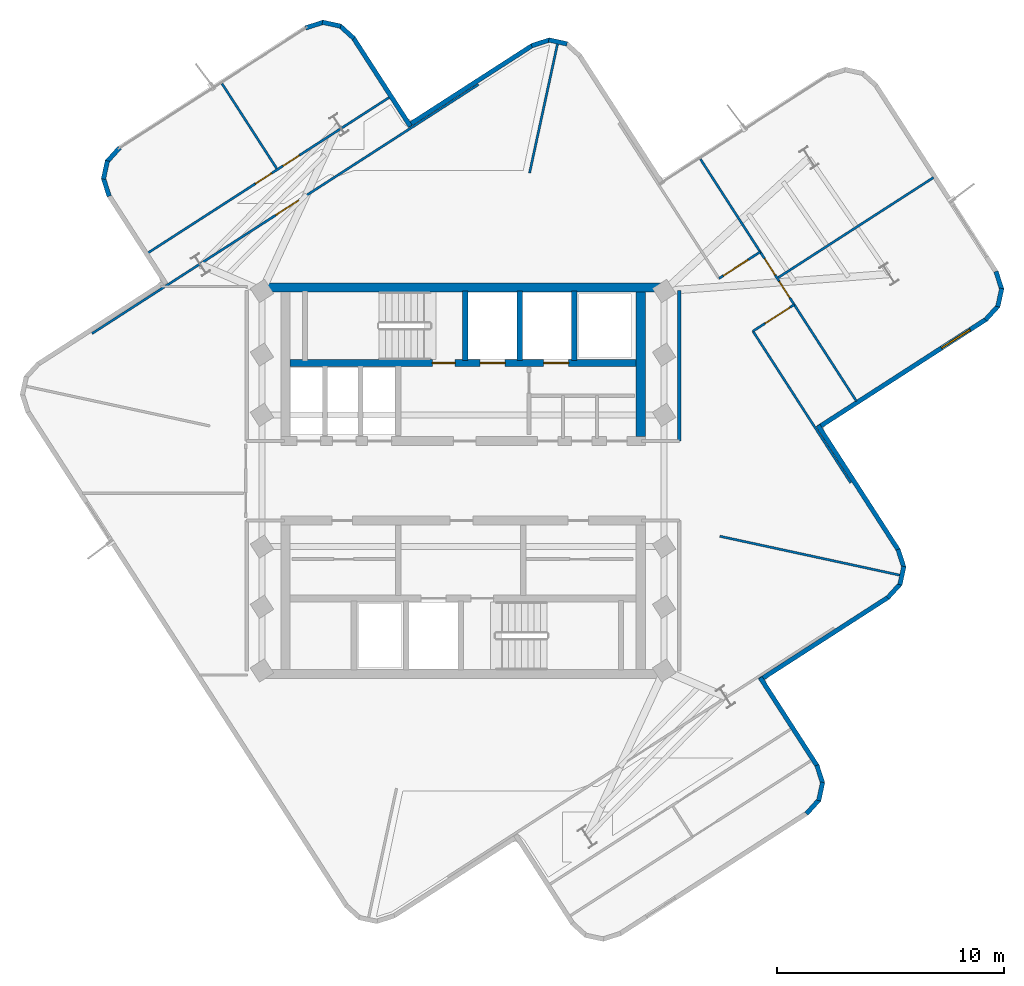
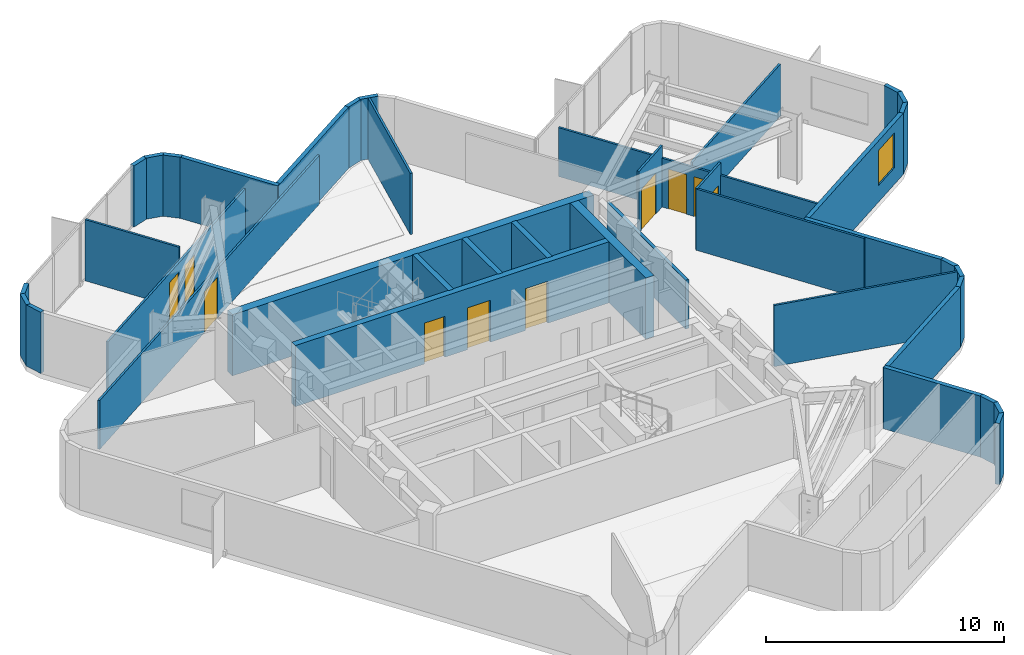
# One storey, part 5 of 8: 40 walls, 10 doors, 1 window, 11 openings.
"""IFC4 building model written with IfcOpenShell, lengths in metres."""

from ifc_helpers import new_model, si_unit, direction, frame, frame_2d, origin, place, context, subcontext, project, spatial, rectangle, extrude, material, layer, layer_set, type_object, element, fill, save


model = new_model("IFC4")

# Units and contexts
model_context = context("Model", 3, precision=1e-05, world=origin(), true_north=direction((0.0, 1.0)))
body_context = subcontext(model_context, "Body", "Model", "MODEL_VIEW")
ifc_project = project(units=[si_unit("LENGTHUNIT", "METRE"), si_unit("AREAUNIT", "SQUARE_METRE"), si_unit("VOLUMEUNIT", "CUBIC_METRE"), si_unit("PLANEANGLEUNIT", "RADIAN"), si_unit("MASSUNIT", "GRAM", prefix="KILO")], contexts=[model_context])

# Site, building, storey
site_placement = place(None, origin())
site = spatial("IfcSite", under=ifc_project, at=site_placement, CompositionType="ELEMENT")
building_placement = place(site_placement, origin())
building = spatial("IfcBuilding", under=site, at=building_placement, Name="Solmarez Civic Tower", CompositionType="ELEMENT")
storey_placement = place(building_placement, frame((0.0, 0.0, 218.8798828125)))
storey = spatial("IfcBuildingStorey", under=building, at=storey_placement, Name="L58", CompositionType="ELEMENT", Elevation=218.8798828125)

# Walls
ifc_material_1 = material(Name="Concrete C50/60", Category="concrete")
ifc_layer_1 = layer(ifc_material_1, 0.39990234375)
ifc_layer_set_1 = layer_set([ifc_layer_1], Name="Concrete C50/60")
wall_type_1 = type_object("IfcWallType", Name="WALL-CORE-400", PredefinedType="SHEAR", material=ifc_layer_set_1)
wall_1_placement = place(storey_placement, frame((-8.780029296875, 8.510009765625, 0.0), z_axis=(0.0, 0.0, 1.0), x_axis=(1.0, 0.0, 0.0)))
element("IfcWall", 1, at=wall_1_placement, inside=storey, type_object=wall_type_1, Name="L58 Split-Core Structural Wall NCW-N-L58", PredefinedType="SHEAR", context=body_context, shape_type="SweptSolid", body=[
    extrude(rectangle(XDim=17.56005859375, YDim=0.39990234375, at=frame_2d((8.780029296875, 0.0))), origin(), (0.0, 0.0, 1.0), 3.14013671875),
])
wall_2_placement = place(storey_placement, frame((7.820068359375, 8.31005859375, 0.0), z_axis=(0.0, 0.0, 1.0), x_axis=(0.0, -1.0, 0.0)))
element("IfcWall", 2, at=wall_2_placement, inside=storey, type_object=wall_type_1, Name="L58 Split-Core Structural Wall NCW-E-L58", PredefinedType="SHEAR", context=body_context, shape_type="SweptSolid", body=[
    extrude(rectangle(XDim=6.360107421875, YDim=0.39990234375, at=frame_2d((3.18017578125, 0.0))), origin(), (0.0, 0.0, 1.0), 3.14013671875),
])
ifc_material_2 = material(Name="Precast concrete C40/50", Category="concrete")
ifc_layer_2 = layer(ifc_material_2, 0.199951171875)
ifc_layer_set_2 = layer_set([ifc_layer_2], Name="Precast concrete C40/50")
wall_type_2 = type_object("IfcWallType", Name="WALL-EXT-200", PredefinedType="SOLIDWALL", material=ifc_layer_set_2)
wall_3_placement = place(storey_placement, frame((-15.572998046875, 12.52294921875, 0.0), z_axis=(0.0, 0.0, 1.0), x_axis=(-0.306602907463, 0.951837516142, 0.0)))
element("IfcWall", 3, at=wall_3_placement, inside=storey, type_object=wall_type_2, Name="L58 Exterior Precast Wall 14", PredefinedType="SOLIDWALL", context=body_context, shape_type="SweptSolid", body=[
    extrude(rectangle(XDim=0.83837890625, YDim=0.199951171875, at=frame_2d((0.419189453125, 0.0))), origin(), (0.0, 0.0, 1.0), 3.14013671875),
])
wall_4_placement = place(storey_placement, frame((-15.826904296875, 13.27294921875, 0.0), z_axis=(0.0, 0.0, 1.0), x_axis=(0.210782404691, 0.977533006027, 0.0)))
element("IfcWall", 4, at=wall_4_placement, inside=storey, type_object=wall_type_2, Name="L58 Exterior Precast Wall 15", PredefinedType="SOLIDWALL", context=body_context, shape_type="SweptSolid", body=[
    extrude(rectangle(XDim=0.82470703125, YDim=0.199951171875, at=frame_2d((0.412353515625, 0.0))), origin(), (0.0, 0.0, 1.0), 3.14013671875),
])
wall_5_placement = place(storey_placement, frame((-15.675048828125, 14.035888671875, 0.0), z_axis=(0.0, 0.0, 1.0), x_axis=(0.671019988703, 0.741439258983, 0.0)))
element("IfcWall", 5, at=wall_5_placement, inside=storey, type_object=wall_type_2, Name="L58 Exterior Precast Wall 16", PredefinedType="SOLIDWALL", context=body_context, shape_type="SweptSolid", body=[
    extrude(rectangle(XDim=0.839111328125, YDim=0.199951171875, at=frame_2d((0.41943359375, 0.0))), origin(), (0.0, 0.0, 1.0), 3.14013671875),
])
wall_6_placement = place(storey_placement, frame((-6.93701171875, 19.925048828125, 0.0), z_axis=(0.0, 0.0, 1.0), x_axis=(0.951922461344, 0.306339072907, 0.0)))
element("IfcWall", 6, at=wall_6_placement, inside=storey, type_object=wall_type_2, Name="L58 Exterior Precast Wall 18", PredefinedType="SOLIDWALL", context=body_context, shape_type="SweptSolid", body=[
    extrude(rectangle(XDim=0.83837890625, YDim=0.199951171875, at=frame_2d((0.419189453125, 0.0))), origin(), (0.0, 0.0, 1.0), 3.14013671875),
])
wall_7_placement = place(storey_placement, frame((-6.18701171875, 20.178955078125, 0.0), z_axis=(0.0, 0.0, 1.0), x_axis=(0.977405889656, -0.211371064399, 0.0)))
element("IfcWall", 7, at=wall_7_placement, inside=storey, type_object=wall_type_2, Name="L58 Exterior Precast Wall 19", PredefinedType="SOLIDWALL", context=body_context, shape_type="SweptSolid", body=[
    extrude(rectangle(XDim=0.823486328125, YDim=0.199951171875, at=frame_2d((0.41162109375, 0.0))), origin(), (0.0, 0.0, 1.0), 3.14013671875),
])
wall_8_placement = place(storey_placement, frame((-5.425048828125, 20.027099609375, 0.0), z_axis=(0.0, 0.0, 1.0), x_axis=(0.741439258983, -0.671019988703, 0.0)))
element("IfcWall", 8, at=wall_8_placement, inside=storey, type_object=wall_type_2, Name="L58 Exterior Precast Wall 20", PredefinedType="SOLIDWALL", context=body_context, shape_type="SweptSolid", body=[
    extrude(rectangle(XDim=0.839111328125, YDim=0.199951171875, at=frame_2d((0.41943359375, 0.0))), origin(), (0.0, 0.0, 1.0), 3.14013671875),
])
wall_9_placement = place(storey_placement, frame((-4.8359375, 19.501953125, 0.0), z_axis=(0.0, 0.0, 1.0), x_axis=(0.541756659411, -0.840535378187, 0.0)))
element("IfcWall", 9, at=wall_9_placement, inside=storey, type_object=wall_type_2, Name="L58 Exterior Precast Wall 21", PredefinedType="SOLIDWALL", context=body_context, shape_type="SweptSolid", body=[
    extrude(rectangle(XDim=4.64208984375, YDim=0.199951171875, at=frame_2d((2.321044921875, 0.0))), origin(), (0.0, 0.0, 1.0), 3.14013671875),
])
wall_10_placement = place(storey_placement, frame((-2.430908203125, 15.6240234375, 0.0), z_axis=(0.0, 0.0, 1.0), x_axis=(0.840561972283, 0.541715396451, 0.0)))
element("IfcWall", 10, at=wall_10_placement, inside=storey, type_object=wall_type_2, Name="L58 Exterior Precast Wall 24", PredefinedType="SOLIDWALL", context=body_context, shape_type="SweptSolid", body=[
    extrude(rectangle(XDim=6.5419921875, YDim=0.199951171875, at=frame_2d((3.27099609375, 0.0))), origin(), (0.0, 0.0, 1.0), 3.14013671875),
])
wall_11_placement = place(storey_placement, frame((3.02294921875, 19.14599609375, 0.0), z_axis=(0.0, 0.0, 1.0), x_axis=(0.951837516142, 0.306602907463, 0.0)))
element("IfcWall", 11, at=wall_11_placement, inside=storey, type_object=wall_type_2, Name="L58 Exterior Precast Wall 25", PredefinedType="SOLIDWALL", context=body_context, shape_type="SweptSolid", body=[
    extrude(rectangle(XDim=0.83837890625, YDim=0.199951171875, at=frame_2d((0.419189453125, 0.0))), origin(), (0.0, 0.0, 1.0), 3.14013671875),
])
wall_12_placement = place(storey_placement, frame((3.77294921875, 19.39990234375, 0.0), z_axis=(0.0, 0.0, 1.0), x_axis=(0.977467098281, -0.211087829535, 0.0)))
element("IfcWall", 12, at=wall_12_placement, inside=storey, type_object=wall_type_2, Name="L58 Exterior Precast Wall 26", PredefinedType="SOLIDWALL", context=body_context, shape_type="SweptSolid", body=[
    extrude(rectangle(XDim=0.823486328125, YDim=0.199951171875, at=frame_2d((0.41162109375, 0.0))), origin(), (0.0, 0.0, 1.0), 3.14013671875),
])
wall_13_placement = place(storey_placement, frame((23.455078125, 9.2119140625, 0.0), z_axis=(0.0, 0.0, 1.0), x_axis=(0.306424011446, -0.951895123009, 0.0)))
element("IfcWall", 13, at=wall_13_placement, inside=storey, type_object=wall_type_2, Name="L58 Exterior Precast Wall 36", PredefinedType="SOLIDWALL", context=body_context, shape_type="SweptSolid", body=[
    extrude(rectangle(XDim=0.838134765625, YDim=0.199951171875, at=frame_2d((0.4189453125, 0.0))), origin(), (0.0, 0.0, 1.0), 3.14013671875),
])
wall_14_placement = place(storey_placement, frame((23.708984375, 8.4619140625, 0.0), z_axis=(0.0, 0.0, 1.0), x_axis=(-0.210237806088, -0.977650277395, 0.0)))
element("IfcWall", 14, at=wall_14_placement, inside=storey, type_object=wall_type_2, Name="L58 Exterior Precast Wall 37", PredefinedType="SOLIDWALL", context=body_context, shape_type="SweptSolid", body=[
    extrude(rectangle(XDim=0.8232421875, YDim=0.199951171875, at=frame_2d((0.41162109375, 0.0))), origin(), (0.0, 0.0, 1.0), 3.14013671875),
])
wall_15_placement = place(storey_placement, frame((23.55810546875, 7.699951171875, 0.0), z_axis=(0.0, 0.0, 1.0), x_axis=(-0.671818647766, -0.740715670493, 0.0)))
element("IfcWall", 15, at=wall_15_placement, inside=storey, type_object=wall_type_2, Name="L58 Exterior Precast Wall 38", PredefinedType="SOLIDWALL", context=body_context, shape_type="SweptSolid", body=[
    extrude(rectangle(XDim=0.83984375, YDim=0.199951171875, at=frame_2d((0.419921875, 0.0))), origin(), (0.0, 0.0, 1.0), 3.14013671875),
])

# Wall, opening, window
wall_16_placement = place(storey_placement, frame((23.031982421875, 7.111083984375, 0.0), z_axis=(0.0, 0.0, 1.0), x_axis=(-0.840540020681, -0.541749456515, 0.0)))
wall_16 = element("IfcWall", 16, at=wall_16_placement, inside=storey, type_object=wall_type_2, Name="L58 Exterior Precast Wall 39", PredefinedType="SOLIDWALL", context=body_context, shape_type="SweptSolid", body=[
    extrude(rectangle(XDim=8.841796875, YDim=0.199951171875, at=frame_2d((4.4208984375, 0.0))), origin(), (0.0, 0.0, 1.0), 3.14013671875),
])
opening_1_placement = place(wall_16_placement, frame((0.85009765625, 0.0, 0.85009765625)))
opening_1 = element("IfcOpeningElement", 17, at=opening_1_placement, cuts=wall_16, Name="Opening W-13", PredefinedType="OPENING", context=body_context, shape_type="SweptSolid", body=[
    extrude(rectangle(XDim=1.5, YDim=1.800048828125, at=frame_2d((0.75, 0.89990234375))), frame((0.0, 0.10986328125, 0.0), z_axis=(0.0, -1.0, 0.0), x_axis=(1.0, 0.0, 0.0)), (0.0, 0.0, 1.0), 0.219970703125),
])
ifc_material_3 = material(Name="Solar Control Bronze-Tinted Insulating Glass", Category="glass")
window_type = type_object("IfcWindowType", Name="WIN-1500X1800", PartitioningType="SINGLE_PANEL", PredefinedType="WINDOW", material=ifc_material_3)
window_placement = place(opening_1_placement, origin())
window = element("IfcWindow", 18, at=window_placement, inside=storey, type_object=window_type, Name="L58 Exterior Facade Window 39", OverallHeight=1.800048828125, OverallWidth=1.5, PartitioningType="SINGLE_PANEL", PredefinedType="WINDOW", context=body_context, shape_type="SweptSolid", body=[
    extrude(rectangle(XDim=1.5, YDim=1.800048828125, at=frame_2d((0.75, 0.89990234375))), frame((0.0, 0.030029296875, 0.0), z_axis=(0.0, -1.0, 0.0), x_axis=(1.0, 0.0, 0.0)), (0.0, 0.0, 1.0), 0.06005859375),
])
fill(opening_1, window)

# Walls
wall_17_placement = place(storey_placement, frame((15.6240234375, 2.430908203125, 0.0), z_axis=(0.0, 0.0, 1.0), x_axis=(0.541715396451, -0.840561972283, 0.0)))
element("IfcWall", 19, at=wall_17_placement, inside=storey, type_object=wall_type_2, Name="L58 Exterior Precast Wall 42", PredefinedType="SOLIDWALL", context=body_context, shape_type="SweptSolid", body=[
    extrude(rectangle(XDim=6.5419921875, YDim=0.199951171875, at=frame_2d((3.27099609375, 0.0))), origin(), (0.0, 0.0, 1.0), 3.14013671875),
])
wall_18_placement = place(storey_placement, frame((19.14599609375, -3.02294921875, 0.0), z_axis=(0.0, 0.0, 1.0), x_axis=(0.306602907463, -0.951837516142, 0.0)))
element("IfcWall", 20, at=wall_18_placement, inside=storey, type_object=wall_type_2, Name="L58 Exterior Precast Wall 43", PredefinedType="SOLIDWALL", context=body_context, shape_type="SweptSolid", body=[
    extrude(rectangle(XDim=0.83837890625, YDim=0.199951171875, at=frame_2d((0.419189453125, 0.0))), origin(), (0.0, 0.0, 1.0), 3.14013671875),
])
wall_19_placement = place(storey_placement, frame((19.39990234375, -3.77294921875, 0.0), z_axis=(0.0, 0.0, 1.0), x_axis=(-0.211087829535, -0.977467098281, 0.0)))
element("IfcWall", 21, at=wall_19_placement, inside=storey, type_object=wall_type_2, Name="L58 Exterior Precast Wall 44", PredefinedType="SOLIDWALL", context=body_context, shape_type="SweptSolid", body=[
    extrude(rectangle(XDim=0.823486328125, YDim=0.199951171875, at=frame_2d((0.41162109375, 0.0))), origin(), (0.0, 0.0, 1.0), 3.14013671875),
])
wall_20_placement = place(storey_placement, frame((19.248046875, -4.534912109375, 0.0), z_axis=(0.0, 0.0, 1.0), x_axis=(-0.671019988703, -0.741439258983, 0.0)))
element("IfcWall", 22, at=wall_20_placement, inside=storey, type_object=wall_type_2, Name="L58 Exterior Precast Wall 45", PredefinedType="SOLIDWALL", context=body_context, shape_type="SweptSolid", body=[
    extrude(rectangle(XDim=0.839111328125, YDim=0.199951171875, at=frame_2d((0.41943359375, 0.0))), origin(), (0.0, 0.0, 1.0), 3.14013671875),
])
wall_21_placement = place(storey_placement, frame((18.722900390625, -5.1240234375, 0.0), z_axis=(0.0, 0.0, 1.0), x_axis=(-0.840584959151, -0.541679726821, 0.0)))
element("IfcWall", 23, at=wall_21_placement, inside=storey, type_object=wall_type_2, Name="L58 Exterior Precast Wall 46", PredefinedType="SOLIDWALL", context=body_context, shape_type="SweptSolid", body=[
    extrude(rectangle(XDim=6.74169921875, YDim=0.199951171875, at=frame_2d((3.370849609375, 0.0))), origin(), (0.0, 0.0, 1.0), 3.14013671875),
])
wall_22_placement = place(storey_placement, frame((13.080078125, -8.666015625, 0.0), z_axis=(0.0, 0.0, 1.0), x_axis=(0.541732711374, -0.840550813114, 0.0)))
element("IfcWall", 24, at=wall_22_placement, inside=storey, type_object=wall_type_2, Name="L58 Exterior Precast Wall 49", PredefinedType="SOLIDWALL", context=body_context, shape_type="SweptSolid", body=[
    extrude(rectangle(XDim=4.642333984375, YDim=0.199951171875, at=frame_2d((2.3212890625, 0.0))), origin(), (0.0, 0.0, 1.0), 3.14013671875),
])
wall_23_placement = place(storey_placement, frame((15.572998046875, -12.52294921875, 0.0), z_axis=(0.0, 0.0, 1.0), x_axis=(0.306602907463, -0.951837516142, 0.0)))
element("IfcWall", 25, at=wall_23_placement, inside=storey, type_object=wall_type_2, Name="L58 Exterior Precast Wall 50", PredefinedType="SOLIDWALL", context=body_context, shape_type="SweptSolid", body=[
    extrude(rectangle(XDim=0.83837890625, YDim=0.199951171875, at=frame_2d((0.419189453125, 0.0))), origin(), (0.0, 0.0, 1.0), 3.14013671875),
])
wall_24_placement = place(storey_placement, frame((15.826904296875, -13.27294921875, 0.0), z_axis=(0.0, 0.0, 1.0), x_axis=(-0.210782404691, -0.977533006027, 0.0)))
element("IfcWall", 26, at=wall_24_placement, inside=storey, type_object=wall_type_2, Name="L58 Exterior Precast Wall 51", PredefinedType="SOLIDWALL", context=body_context, shape_type="SweptSolid", body=[
    extrude(rectangle(XDim=0.82470703125, YDim=0.199951171875, at=frame_2d((0.412353515625, 0.0))), origin(), (0.0, 0.0, 1.0), 3.14013671875),
])
wall_25_placement = place(storey_placement, frame((15.675048828125, -14.035888671875, 0.0), z_axis=(0.0, 0.0, 1.0), x_axis=(-0.671019988703, -0.741439258983, 0.0)))
element("IfcWall", 27, at=wall_25_placement, inside=storey, type_object=wall_type_2, Name="L58 Exterior Precast Wall 52", PredefinedType="SOLIDWALL", context=body_context, shape_type="SweptSolid", body=[
    extrude(rectangle(XDim=0.839111328125, YDim=0.199951171875, at=frame_2d((0.41943359375, 0.0))), origin(), (0.0, 0.0, 1.0), 3.14013671875),
])
ifc_material_4 = material(Name="Gypsum Board Acoustic Steel-Stud Partition", Category="steel")
ifc_layer_3 = layer(ifc_material_4, 0.14990234375)
ifc_layer_set_3 = layer_set([ifc_layer_3], Name="Gypsum Board Acoustic Steel-Stud Partition")
wall_type_3 = type_object("IfcWallType", Name="WALL-INT-FIRE-150", PredefinedType="PARTITIONING", material=ifc_layer_set_3)
wall_26_placement = place(storey_placement, frame((9.52001953125, 1.75, 0.0), z_axis=(0.0, 0.0, 1.0), x_axis=(0.0, 1.0, 0.0)))
element("IfcWall", 28, at=wall_26_placement, inside=storey, type_object=wall_type_3, Name="L58 Interior Partition CHW-L58-EN1", PredefinedType="PARTITIONING", context=body_context, shape_type="SweptSolid", body=[
    extrude(rectangle(XDim=6.6298828125, YDim=0.14990234375, at=frame_2d((3.31494140625, 0.0))), origin(), (0.0, 0.0, 1.0), 2.510009765625),
])
ifc_layer_4 = layer(ifc_material_4, 0.10009765625)
ifc_layer_set_4 = layer_set([ifc_layer_4], Name="Gypsum Board Acoustic Steel-Stud Partition")
wall_type_4 = type_object("IfcWallType", Name="WALL-INT-PART-100", PredefinedType="PARTITIONING", material=ifc_layer_set_4)
wall_27_placement = place(storey_placement, frame((2.927001953125, 13.5400390625, 0.0), z_axis=(0.0, 0.0, 1.0), x_axis=(0.21141803497, 0.977395730751, 0.0)))
element("IfcWall", 29, at=wall_27_placement, inside=storey, type_object=wall_type_4, Name="L58 Interior Partition PT-L58-QDIV-1", PredefinedType="PARTITIONING", context=body_context, shape_type="SweptSolid", body=[
    extrude(rectangle(XDim=5.842041015625, YDim=0.10009765625, at=frame_2d((2.9208984375, 0.0))), origin(), (0.0, 0.0, 1.0), 3.14013671875),
])
wall_28_placement = place(storey_placement, frame((11.300048828125, -2.443115234375, 0.0), z_axis=(0.0, 0.0, 1.0), x_axis=(0.977411986974, -0.211342867681, 0.0)))
element("IfcWall", 30, at=wall_28_placement, inside=storey, type_object=wall_type_4, Name="L58 Interior Partition PT-L58-QDIV-4", PredefinedType="PARTITIONING", context=body_context, shape_type="SweptSolid", body=[
    extrude(rectangle(XDim=8.1337890625, YDim=0.10009765625, at=frame_2d((4.06689453125, 0.0))), origin(), (0.0, 0.0, 1.0), 3.14013671875),
])
wall_29_placement = place(storey_placement, frame((17.06005859375, -0.093017578125, 0.0), z_axis=(0.0, 0.0, 1.0), x_axis=(-0.541691689426, 0.840577250232, 0.0)))
element("IfcWall", 31, at=wall_29_placement, inside=storey, type_object=wall_type_4, Name="L58 Interior Partition PT-L58-E-EFR", PredefinedType="PARTITIONING", context=body_context, shape_type="SweptSolid", body=[
    extrude(rectangle(XDim=7.949462890625, YDim=0.10009765625, at=frame_2d((3.974609375, 0.0))), origin(), (0.0, 0.0, 1.0), 3.14013671875),
])

# Wall, opening, door
wall_30_placement = place(storey_placement, frame((13.080078125, 10.071044921875, 0.0), z_axis=(0.0, 0.0, 1.0), x_axis=(-0.840623628822, -0.541619714067, 0.0)))
wall_30 = element("IfcWall", 32, at=wall_30_placement, inside=storey, type_object=wall_type_4, Name="L58 Interior Partition PT-L58-E-SL", PredefinedType="PARTITIONING", context=body_context, shape_type="SweptSolid", body=[
    extrude(rectangle(XDim=2.160400390625, YDim=0.10009765625, at=frame_2d((1.080078125, 0.0))), origin(), (0.0, 0.0, 1.0), 3.14013671875),
])
opening_2_placement = place(wall_30_placement, frame((0.6298828125, 0.0, 0.0)))
opening_2 = element("IfcOpeningElement", 33, at=opening_2_placement, cuts=wall_30, Name="Opening D-15", PredefinedType="OPENING", context=body_context, shape_type="SweptSolid", body=[
    extrude(rectangle(XDim=1.300048828125, YDim=2.10009765625, at=frame_2d((0.64990234375, 1.050048828125))), frame((0.0, 0.06005859375, 0.0), z_axis=(0.0, -1.0, 0.0), x_axis=(1.0, 0.0, 0.0)), (0.0, 0.0, 1.0), 0.1201171875),
])
ifc_material_5 = material(Name="Tribunal Hearing Conference Door", Category="wood")
door_type_1 = type_object("IfcDoorType", Name="DOOR-INT-1300", OperationType="NOTDEFINED", PredefinedType="DOOR", material=ifc_material_5)
door_1_placement = place(opening_2_placement, origin())
door_1 = element("IfcDoor", 34, at=door_1_placement, inside=storey, type_object=door_type_1, Name="L58 Legislative Seminar Room East Door", OperationType="SINGLE_SWING_LEFT", OverallHeight=2.10009765625, OverallWidth=1.300048828125, PredefinedType="DOOR", context=body_context, shape_type="SweptSolid", body=[
    extrude(rectangle(XDim=1.300048828125, YDim=2.10009765625, at=frame_2d((0.64990234375, 1.050048828125))), frame((0.0, 0.02490234375, 0.0), z_axis=(0.0, -1.0, 0.0), x_axis=(1.0, 0.0, 0.0)), (0.0, 0.0, 1.0), 0.050048828125),
])
fill(opening_2, door_1)

wall_31_placement = place(storey_placement, frame((12.759033203125, 6.5810546875, 0.0), z_axis=(0.0, 0.0, 1.0), x_axis=(0.840641931508, 0.541591306236, 0.0)))
wall_31 = element("IfcWall", 35, at=wall_31_placement, inside=storey, type_object=wall_type_4, Name="L58 Interior Partition PT-L58-E-SR", PredefinedType="PARTITIONING", context=body_context, shape_type="SweptSolid", body=[
    extrude(rectangle(XDim=2.16015625, YDim=0.10009765625, at=frame_2d((1.080078125, 0.0))), origin(), (0.0, 0.0, 1.0), 3.14013671875),
])
opening_3_placement = place(wall_31_placement, frame((0.6298828125, 0.0, 0.0)))
opening_3 = element("IfcOpeningElement", 36, at=opening_3_placement, cuts=wall_31, Name="Opening D-15", PredefinedType="OPENING", context=body_context, shape_type="SweptSolid", body=[
    extrude(rectangle(XDim=1.300048828125, YDim=2.10009765625, at=frame_2d((0.64990234375, 1.050048828125))), frame((0.0, 0.06005859375, 0.0), z_axis=(0.0, -1.0, 0.0), x_axis=(1.0, 0.0, 0.0)), (0.0, 0.0, 1.0), 0.1201171875),
])
door_2_placement = place(opening_3_placement, origin())
door_2 = element("IfcDoor", 37, at=door_2_placement, inside=storey, type_object=door_type_1, Name="L58 Civic Training Classroom East Door", OperationType="SINGLE_SWING_RIGHT", OverallHeight=2.10009765625, OverallWidth=1.300048828125, PredefinedType="DOOR", context=body_context, shape_type="SweptSolid", body=[
    extrude(rectangle(XDim=1.300048828125, YDim=2.10009765625, at=frame_2d((0.64990234375, 1.050048828125))), frame((0.0, 0.02490234375, 0.0), z_axis=(0.0, -1.0, 0.0), x_axis=(1.0, 0.0, 0.0)), (0.0, 0.0, 1.0), 0.050048828125),
])
fill(opening_3, door_2)

# Wall
wall_32_placement = place(storey_placement, frame((13.8779296875, 8.944091796875, 0.0), z_axis=(0.0, 0.0, 1.0), x_axis=(0.840576508336, 0.541692840671, 0.0)))
element("IfcWall", 38, at=wall_32_placement, inside=storey, type_object=wall_type_4, Name="L58 Interior Partition PT-L58-E-TM", PredefinedType="PARTITIONING", context=body_context, shape_type="SweptSolid", body=[
    extrude(rectangle(XDim=8.124267578125, YDim=0.10009765625, at=frame_2d((4.06201171875, 0.0))), origin(), (0.0, 0.0, 1.0), 2.669189453125),
])

# Wall, openings, doors
wall_33_placement = place(storey_placement, frame((10.448974609375, 14.152099609375, 0.0), z_axis=(0.0, 0.0, 1.0), x_axis=(0.541734007753, -0.8405499776, 0.0)))
wall_33 = element("IfcWall", 39, at=wall_33_placement, inside=storey, type_object=wall_type_4, Name="L58 Interior Partition PT-L58-E-END", PredefinedType="PARTITIONING", context=body_context, shape_type="SweptSolid", body=[
    extrude(rectangle(XDim=12.67041015625, YDim=0.10009765625, at=frame_2d((6.335205078125, 0.0))), origin(), (0.0, 0.0, 1.0), 2.510009765625),
])
opening_4_placement = place(wall_33_placement, frame((6.405029296875, 0.0, 0.0)))
opening_4 = element("IfcOpeningElement", 40, at=opening_4_placement, cuts=wall_33, Name="Opening D-14", PredefinedType="OPENING", context=body_context, shape_type="SweptSolid", body=[
    extrude(rectangle(XDim=0.860107421875, YDim=2.0400390625, at=frame_2d((0.43017578125, 1.02001953125))), frame((0.0, 0.06005859375, 0.0), z_axis=(0.0, -1.0, 0.0), x_axis=(1.0, 0.0, 0.0)), (0.0, 0.0, 1.0), 0.1201171875),
])
opening_5_placement = place(wall_33_placement, frame((5.205078125, 0.0, 0.0)))
opening_5 = element("IfcOpeningElement", 41, at=opening_5_placement, cuts=wall_33, Name="Opening D-14", PredefinedType="OPENING", context=body_context, shape_type="SweptSolid", body=[
    extrude(rectangle(XDim=0.860107421875, YDim=2.0400390625, at=frame_2d((0.43017578125, 1.02001953125))), frame((0.0, 0.06005859375, 0.0), z_axis=(0.0, -1.0, 0.0), x_axis=(1.0, 0.0, 0.0)), (0.0, 0.0, 1.0), 0.1201171875),
])
ifc_material_6 = material(Name="Timber Storage and Pantry Door", Category="wood")
door_type_2 = type_object("IfcDoorType", Name="DOOR-INT-850", OperationType="NOTDEFINED", PredefinedType="DOOR", material=ifc_material_6)
door_3_placement = place(opening_4_placement, origin())
door_3 = element("IfcDoor", 42, at=door_3_placement, inside=storey, type_object=door_type_2, Name="L58 Public Reception Room Sixth East Door", OperationType="SINGLE_SWING_RIGHT", OverallHeight=2.0400390625, OverallWidth=0.860107421875, PredefinedType="DOOR", context=body_context, shape_type="SweptSolid", body=[
    extrude(rectangle(XDim=0.860107421875, YDim=2.0400390625, at=frame_2d((0.43017578125, 1.02001953125))), frame((0.0, 0.02490234375, 0.0), z_axis=(0.0, -1.0, 0.0), x_axis=(1.0, 0.0, 0.0)), (0.0, 0.0, 1.0), 0.050048828125),
])
fill(opening_4, door_3)
door_4_placement = place(opening_5_placement, origin())
door_4 = element("IfcDoor", 43, at=door_4_placement, inside=storey, type_object=door_type_2, Name="L58 Delegates Sitting Lounge Fifth East Door", OperationType="SINGLE_SWING_LEFT", OverallHeight=2.0400390625, OverallWidth=0.860107421875, PredefinedType="DOOR", context=body_context, shape_type="SweptSolid", body=[
    extrude(rectangle(XDim=0.860107421875, YDim=2.0400390625, at=frame_2d((0.43017578125, 1.02001953125))), frame((0.0, 0.02490234375, 0.0), z_axis=(0.0, -1.0, 0.0), x_axis=(1.0, 0.0, 0.0)), (0.0, 0.0, 1.0), 0.050048828125),
])
fill(opening_5, door_4)

# Wall, opening, door
wall_34_placement = place(storey_placement, frame((-16.3310546875, 6.47607421875, 0.0), z_axis=(0.0, 0.0, 1.0), x_axis=(0.840579457381, 0.541688264437, 0.0)))
wall_34 = element("IfcWall", 44, at=wall_34_placement, inside=storey, type_object=wall_type_4, Name="L58 Interior Partition PT-L58-N-ENT", PredefinedType="PARTITIONING", context=body_context, shape_type="SweptSolid", body=[
    extrude(rectangle(XDim=20.23828125, YDim=0.10009765625, at=frame_2d((10.119140625, 0.0))), origin(), (0.0, 0.0, 1.0), 2.510009765625),
])
opening_6_placement = place(wall_34_placement, frame((9.618896484375, 0.0, 0.0)))
opening_6 = element("IfcOpeningElement", 45, at=opening_6_placement, cuts=wall_34, Name="Opening D-11", PredefinedType="OPENING", context=body_context, shape_type="SweptSolid", body=[
    extrude(rectangle(XDim=1.199951171875, YDim=2.10009765625, at=frame_2d((0.60009765625, 1.050048828125))), frame((0.0, 0.06005859375, 0.0), z_axis=(0.0, -1.0, 0.0), x_axis=(1.0, 0.0, 0.0)), (0.0, 0.0, 1.0), 0.1201171875),
])
ifc_material_7 = material(Name="Glazed-Vision Acoustic Chamber Door", Category="wood")
door_type_3 = type_object("IfcDoorType", Name="DOOR-INT-1200", OperationType="NOTDEFINED", PredefinedType="DOOR", material=ifc_material_7)
door_5_placement = place(opening_6_placement, origin())
door_5 = element("IfcDoor", 46, at=door_5_placement, inside=storey, type_object=door_type_3, Name="L58 Civic Training Classroom First North Door", OperationType="SINGLE_SWING_LEFT", OverallHeight=2.10009765625, OverallWidth=1.199951171875, PredefinedType="DOOR", context=body_context, shape_type="SweptSolid", body=[
    extrude(rectangle(XDim=1.199951171875, YDim=2.10009765625, at=frame_2d((0.60009765625, 1.050048828125))), frame((0.0, 0.02490234375, 0.0), z_axis=(0.0, -1.0, 0.0), x_axis=(1.0, 0.0, 0.0)), (0.0, 0.0, 1.0), 0.050048828125),
])
fill(opening_6, door_5)

# Wall
wall_35_placement = place(storey_placement, frame((-8.205078125, 13.7470703125, 0.0), z_axis=(0.0, 0.0, 1.0), x_axis=(-0.541753189494, 0.840537614669, 0.0)))
element("IfcWall", 47, at=wall_35_placement, inside=storey, type_object=wall_type_4, Name="L58 Interior Partition PT-L58-N-TSP", PredefinedType="PARTITIONING", context=body_context, shape_type="SweptSolid", body=[
    extrude(rectangle(XDim=4.435302734375, YDim=0.10009765625, at=frame_2d((2.2177734375, 0.0))), origin(), (0.0, 0.0, 1.0), 3.14013671875),
])

# Wall, openings, doors
wall_36_placement = place(storey_placement, frame((-3.22607421875, 16.884033203125, 0.0), z_axis=(0.0, 0.0, 1.0), x_axis=(-0.840579419228, -0.541688323642, 0.0)))
wall_36 = element("IfcWall", 48, at=wall_36_placement, inside=storey, type_object=wall_type_4, Name="L58 Interior Partition PT-L58-N-SCUT", PredefinedType="PARTITIONING", context=body_context, shape_type="SweptSolid", body=[
    extrude(rectangle(XDim=12.669677734375, YDim=0.10009765625, at=frame_2d((6.3349609375, 0.0))), origin(), (0.0, 0.0, 1.0), 2.510009765625),
])
opening_7_placement = place(wall_36_placement, frame((4.735107421875, 0.0, 0.0)))
opening_7 = element("IfcOpeningElement", 49, at=opening_7_placement, cuts=wall_36, Name="Opening D-14", PredefinedType="OPENING", context=body_context, shape_type="SweptSolid", body=[
    extrude(rectangle(XDim=0.860107421875, YDim=2.0400390625, at=frame_2d((0.43017578125, 1.02001953125))), frame((0.0, 0.06005859375, 0.0), z_axis=(0.0, -1.0, 0.0), x_axis=(1.0, 0.0, 0.0)), (0.0, 0.0, 1.0), 0.1201171875),
])
opening_8_placement = place(wall_36_placement, frame((6.175048828125, 0.0, 0.0)))
opening_8 = element("IfcOpeningElement", 50, at=opening_8_placement, cuts=wall_36, Name="Opening D-14", PredefinedType="OPENING", context=body_context, shape_type="SweptSolid", body=[
    extrude(rectangle(XDim=0.860107421875, YDim=2.0400390625, at=frame_2d((0.43017578125, 1.02001953125))), frame((0.0, 0.06005859375, 0.0), z_axis=(0.0, -1.0, 0.0), x_axis=(1.0, 0.0, 0.0)), (0.0, 0.0, 1.0), 0.1201171875),
])
door_6_placement = place(opening_7_placement, origin())
door_6 = element("IfcDoor", 51, at=door_6_placement, inside=storey, type_object=door_type_2, Name="L58 Public Reception Room Third North Door", OperationType="SINGLE_SWING_RIGHT", OverallHeight=2.0400390625, OverallWidth=0.860107421875, PredefinedType="DOOR", context=body_context, shape_type="SweptSolid", body=[
    extrude(rectangle(XDim=0.860107421875, YDim=2.0400390625, at=frame_2d((0.43017578125, 1.02001953125))), frame((0.0, 0.02490234375, 0.0), z_axis=(0.0, -1.0, 0.0), x_axis=(1.0, 0.0, 0.0)), (0.0, 0.0, 1.0), 0.050048828125),
])
fill(opening_7, door_6)
door_7_placement = place(opening_8_placement, origin())
door_7 = element("IfcDoor", 52, at=door_7_placement, inside=storey, type_object=door_type_2, Name="L58 Delegates Sitting Lounge Second North Door", OperationType="SINGLE_SWING_LEFT", OverallHeight=2.0400390625, OverallWidth=0.860107421875, PredefinedType="DOOR", context=body_context, shape_type="SweptSolid", body=[
    extrude(rectangle(XDim=0.860107421875, YDim=2.0400390625, at=frame_2d((0.43017578125, 1.02001953125))), frame((0.0, 0.02490234375, 0.0), z_axis=(0.0, -1.0, 0.0), x_axis=(1.0, 0.0, 0.0)), (0.0, 0.0, 1.0), 0.050048828125),
])
fill(opening_8, door_7)

ifc_layer_5 = layer(ifc_material_1, 0.300048828125)
ifc_layer_set_5 = layer_set([ifc_layer_5], Name="Concrete C50/60")
wall_type_5 = type_object("IfcWallType", Name="WALL-STR-300", PredefinedType="SOLIDWALL", material=ifc_layer_set_5)
wall_37_placement = place(storey_placement, frame((7.6201171875, 5.179931640625, 0.0), z_axis=(0.0, 0.0, 1.0), x_axis=(-1.0, 0.0, 0.0)))
wall_37 = element("IfcWall", 53, at=wall_37_placement, inside=storey, type_object=wall_type_5, Name="L58 Split-Core Structural Wall NCW-M-L58", PredefinedType="SOLIDWALL", context=body_context, shape_type="SweptSolid", body=[
    extrude(rectangle(XDim=15.240234375, YDim=0.300048828125, at=frame_2d((7.6201171875, 0.0))), origin(), (0.0, 0.0, 1.0), 3.14013671875),
])
opening_9_placement = place(wall_37_placement, frame((5.77001953125, 0.0, 0.0)))
opening_9 = element("IfcOpeningElement", 54, at=opening_9_placement, cuts=wall_37, Name="Opening LD-02", PredefinedType="OPENING", context=body_context, shape_type="SweptSolid", body=[
    extrude(rectangle(XDim=1.10009765625, YDim=2.14990234375, at=frame_2d((0.550048828125, 1.074951171875))), frame((0.0, 0.159912109375, 0.0), z_axis=(0.0, -1.0, 0.0), x_axis=(1.0, 0.0, 0.0)), (0.0, 0.0, 1.0), 0.320068359375),
])
opening_10_placement = place(wall_37_placement, frame((2.969970703125, 0.0, 0.0)))
opening_10 = element("IfcOpeningElement", 55, at=opening_10_placement, cuts=wall_37, Name="Opening LD-03", PredefinedType="OPENING", context=body_context, shape_type="SweptSolid", body=[
    extrude(rectangle(XDim=1.10009765625, YDim=2.14990234375, at=frame_2d((0.550048828125, 1.074951171875))), frame((0.0, 0.159912109375, 0.0), z_axis=(0.0, -1.0, 0.0), x_axis=(1.0, 0.0, 0.0)), (0.0, 0.0, 1.0), 0.320068359375),
])
opening_11_placement = place(wall_37_placement, frame((7.969970703125, 0.0, 0.0)))
opening_11 = element("IfcOpeningElement", 56, at=opening_11_placement, cuts=wall_37, Name="Opening D-05", PredefinedType="OPENING", context=body_context, shape_type="SweptSolid", body=[
    extrude(rectangle(XDim=1.0, YDim=2.10009765625, at=frame_2d((0.5, 1.050048828125))), frame((0.0, 0.159912109375, 0.0), z_axis=(0.0, -1.0, 0.0), x_axis=(1.0, 0.0, 0.0)), (0.0, 0.0, 1.0), 0.320068359375),
])
ifc_material_8 = material(Name="Fire-Rated Stairwell Exit Door", Category="wood")
door_type_4 = type_object("IfcDoorType", Name="DOOR-FD90-1000", OperationType="NOTDEFINED", PredefinedType="DOOR", material=ifc_material_8)
door_8_placement = place(opening_11_placement, origin())
door_8 = element("IfcDoor", 57, at=door_8_placement, inside=storey, type_object=door_type_4, Name="L58 North Exit Stair Door ST-1", OperationType="SINGLE_SWING_LEFT", OverallHeight=2.10009765625, OverallWidth=1.0, PredefinedType="DOOR", context=body_context, shape_type="SweptSolid", body=[
    extrude(rectangle(XDim=1.0, YDim=2.10009765625, at=frame_2d((0.5, 1.050048828125))), frame((0.0, 0.02490234375, 0.0), z_axis=(0.0, -1.0, 0.0), x_axis=(1.0, 0.0, 0.0)), (0.0, 0.0, 1.0), 0.050048828125),
])
fill(opening_11, door_8)
ifc_material_9 = material(Name="Stainless Firefighting Lift Landing Sliding Door", Category="aluminium")
door_type_5 = type_object("IfcDoorType", Name="DOOR-LD-FF-1100", OperationType="DOUBLE_DOOR_SLIDING", PredefinedType="DOOR", material=ifc_material_9)
door_9_placement = place(opening_9_placement, origin())
door_9 = element("IfcDoor", 58, at=door_9_placement, inside=storey, type_object=door_type_5, Name="L58 Firefighting Lift Landing Door FFL-1", OperationType="DOUBLE_DOOR_SLIDING", OverallHeight=2.14990234375, OverallWidth=1.10009765625, PredefinedType="DOOR", context=body_context, shape_type="SweptSolid", body=[
    extrude(rectangle(XDim=1.10009765625, YDim=2.14990234375, at=frame_2d((0.550048828125, 1.074951171875))), frame((0.0, 0.02490234375, 0.0), z_axis=(0.0, -1.0, 0.0), x_axis=(1.0, 0.0, 0.0)), (0.0, 0.0, 1.0), 0.050048828125),
])
fill(opening_9, door_9)
ifc_material_10 = material(Name="Stainless Stretcher Lift Landing Sliding Door", Category="aluminium")
door_type_6 = type_object("IfcDoorType", Name="DOOR-LD-SV-1100", OperationType="DOUBLE_DOOR_SLIDING", PredefinedType="DOOR", material=ifc_material_10)
door_10_placement = place(opening_10_placement, origin())
door_10 = element("IfcDoor", 59, at=door_10_placement, inside=storey, type_object=door_type_6, Name="L58 Service Stretcher Lift Landing Door SVL-1", OperationType="DOUBLE_DOOR_SLIDING", OverallHeight=2.14990234375, OverallWidth=1.10009765625, PredefinedType="DOOR", context=body_context, shape_type="SweptSolid", body=[
    extrude(rectangle(XDim=1.10009765625, YDim=2.14990234375, at=frame_2d((0.550048828125, 1.074951171875))), frame((0.0, 0.02490234375, 0.0), z_axis=(0.0, -1.0, 0.0), x_axis=(1.0, 0.0, 0.0)), (0.0, 0.0, 1.0), 0.050048828125),
])
fill(opening_10, door_10)

# Walls
for number, where, z_axis, x_axis, name in (
    (60, (0.10009765625, 5.300048828125, 0.0), (0.0, 0.0, 1.0), (0.0, 1.0, 0.0), "L58 Split-Core Structural Wall SHW-N1-L58"),
    (61, (2.5, 5.300048828125, 0.0), (0.0, 0.0, 1.0), (0.0, 1.0, 0.0), "L58 Split-Core Structural Wall SHW-N2-L58"),
    (62, (4.89990234375, 5.300048828125, 0.0), (0.0, 0.0, 1.0), (0.0, 1.0, 0.0), "L58 Split-Core Structural Wall SHW-N3-L58"),
):
    element("IfcWall", number, at=place(storey_placement, frame(where, z_axis=z_axis, x_axis=x_axis)), inside=storey, type_object=wall_type_5, Name=name, PredefinedType="SOLIDWALL", context=body_context, shape_type="SweptSolid", body=[
        extrude(rectangle(XDim=3.0400390625, YDim=0.25, at=frame_2d((1.52001953125, 0.0))), origin(), (0.0, 0.0, 1.0), 3.14013671875),
    ])

save(model, "model.ifc")
